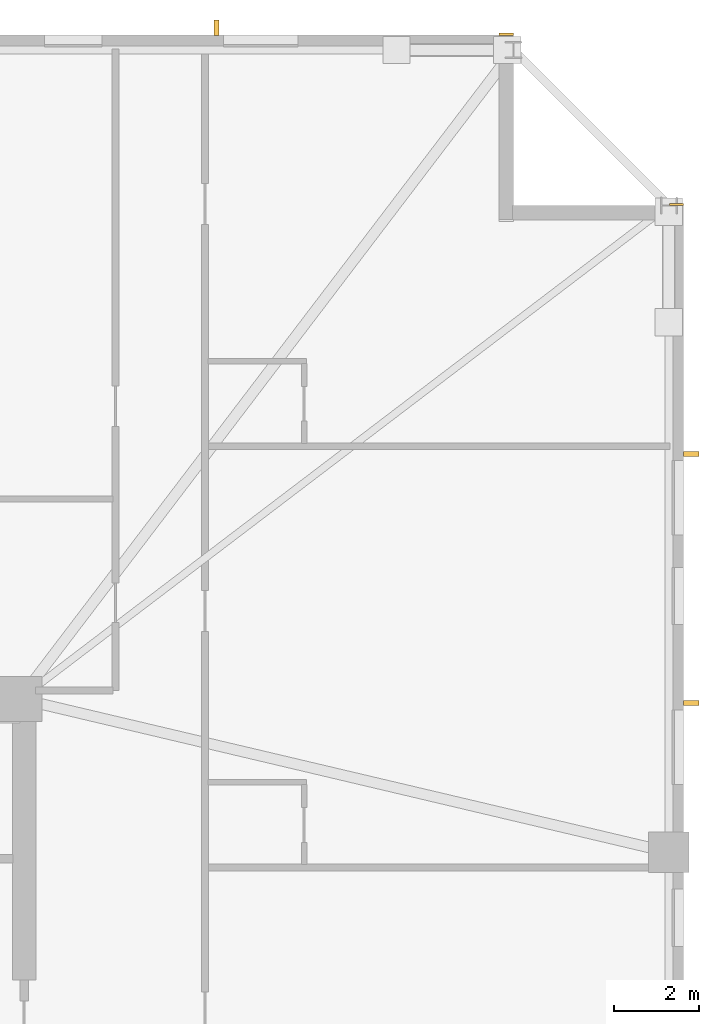
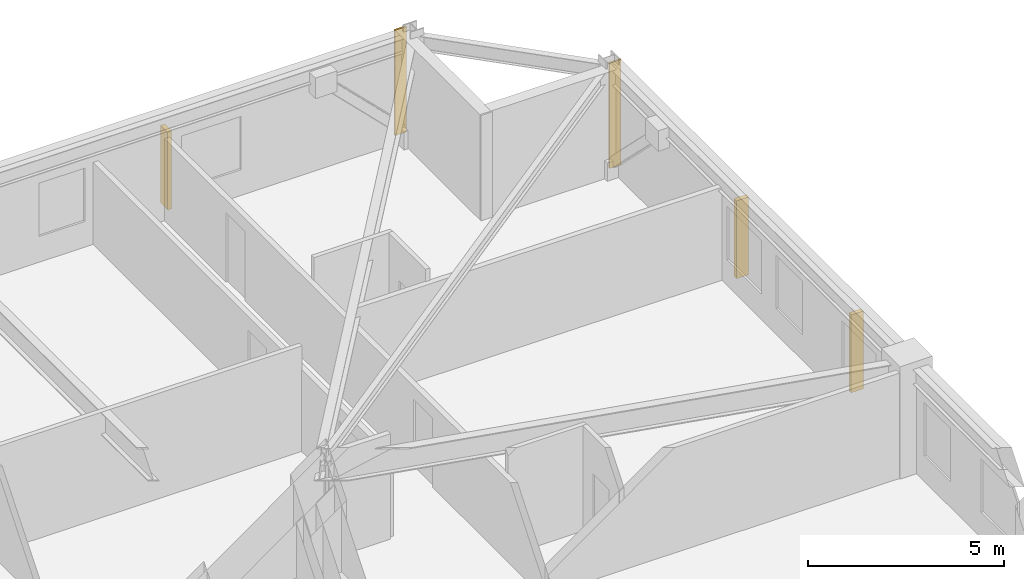
# One storey, part 11 of 11: 3 shading devices, 2 coverings.
"""IFC4 building model written with IfcOpenShell, lengths in metres."""

from ifc_helpers import new_model, si_unit, direction, frame, frame_2d, origin, origin_2d, place, context, subcontext, project, spatial, rectangle, extrude, material, layer, layer_set, type_object, element, save


model = new_model("IFC4")

# Units and contexts
model_context = context("Model", 3, precision=1e-05, world=origin(), true_north=direction((0.0, 1.0)))
body_context = subcontext(model_context, "Body", "Model", "MODEL_VIEW")
ifc_project = project(units=[si_unit("LENGTHUNIT", "METRE"), si_unit("AREAUNIT", "SQUARE_METRE"), si_unit("VOLUMEUNIT", "CUBIC_METRE"), si_unit("PLANEANGLEUNIT", "RADIAN"), si_unit("MASSUNIT", "GRAM", prefix="KILO")], contexts=[model_context])

# Site, building, storey
site_placement = place(None, origin())
site = spatial("IfcSite", under=ifc_project, at=site_placement, CompositionType="ELEMENT")
building_placement = place(site_placement, origin())
building = spatial("IfcBuilding", under=site, at=building_placement, Name="Cairnveth Concourse Tower", CompositionType="ELEMENT")
storey_placement = place(building_placement, frame((0.0, 0.0, 158.5)))
storey = spatial("IfcBuildingStorey", under=building, at=storey_placement, Name="L43", CompositionType="ELEMENT", Elevation=158.5)

# Coverings
ifc_material_1 = material(Name="Dressed Melbourne Bluestone Cladding", Category="masonry")
ifc_layer = layer(ifc_material_1, 0.050048828125)
ifc_layer_set = layer_set([ifc_layer], Name="Dressed Melbourne Bluestone Cladding")
covering_type = type_object("IfcCoveringType", Name="DRESSED BLUESTONE PLINTH CLADDING 50", PredefinedType="CLADDING", material=ifc_layer_set)
for number, where, z_axis, x_axis, name in (
    (1, (71.659912109375, 63.02001953125, 0.0), (0.0, 0.0, 1.0), (1.0, 0.0, 0.0), "Melbourne Bluestone Corner Quoin L43-634"),
    (2, (75.659912109375, 59.02001953125, 0.0), (0.0, 0.0, 1.0), (1.0, 0.0, 0.0), "Melbourne Bluestone Corner Quoin L43-636"),
):
    element("IfcCovering", number, at=place(storey_placement, frame(where, z_axis=z_axis, x_axis=x_axis)), inside=storey, type_object=covering_type, Name=name, PredefinedType="CLADDING", context=body_context, shape_type="SweptSolid", body=[
        extrude(rectangle(XDim=0.340087890625, YDim=0.050048828125, at=frame_2d((0.169921875, 0.0))), origin(), (0.0, 0.0, 1.0), 3.280029296875),
    ])

# Shading devices
ifc_material_2 = material(Name="Architectural Bronze Anodised Aluminium 6063-T6", Category="aluminium")
shading_device_type = type_object("IfcShadingDeviceType", Name="GOTHIC BRONZE VERTICAL LANCET FIN", PredefinedType="USERDEFINED", material=ifc_material_2)
for number, where, z_axis, x_axis, name in (
    (3, (65.020263671875, 63.175048828125, 0.030029296875), (0.0, 0.0, 1.0), (1.0, 0.0, 0.0), "Gothic Bronze Vertical Fin L43-6-9"),
    (4, (76.175048828125, 53.158203125, 0.030029296875), (0.0, 0.0, 1.0), (0.0, 1.0, 0.0), "Gothic Bronze Vertical Fin L43-9-1"),
    (5, (76.175048828125, 47.301025390625, 0.030029296875), (0.0, 0.0, 1.0), (0.0, 1.0, 0.0), "Gothic Bronze Vertical Fin L43-9-3"),
):
    element("IfcShadingDevice", number, at=place(storey_placement, frame(where, z_axis=z_axis, x_axis=x_axis)), inside=storey, type_object=shading_device_type, Name=name, ObjectType="VERTICAL FIN", PredefinedType="USERDEFINED", context=body_context, shape_type="SweptSolid", body=[
        extrude(rectangle(XDim=0.1201171875, YDim=0.360107421875, at=origin_2d()), origin(), (0.0, 0.0, 1.0), 2.419921875),
    ])

save(model, "model.ifc")
